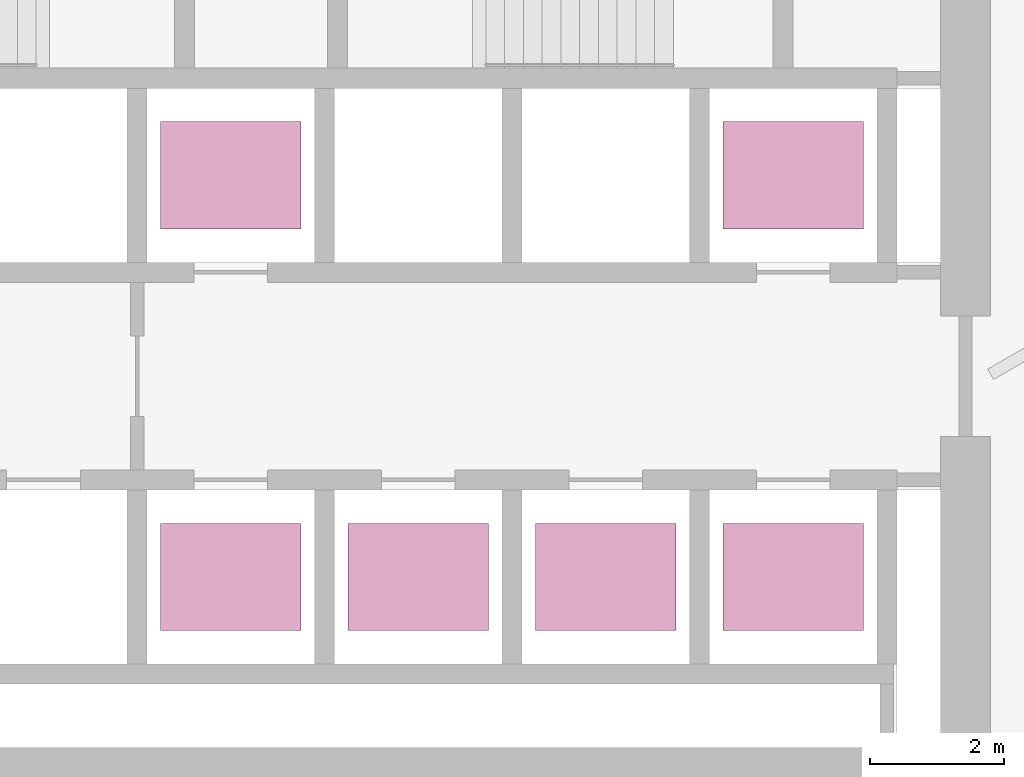
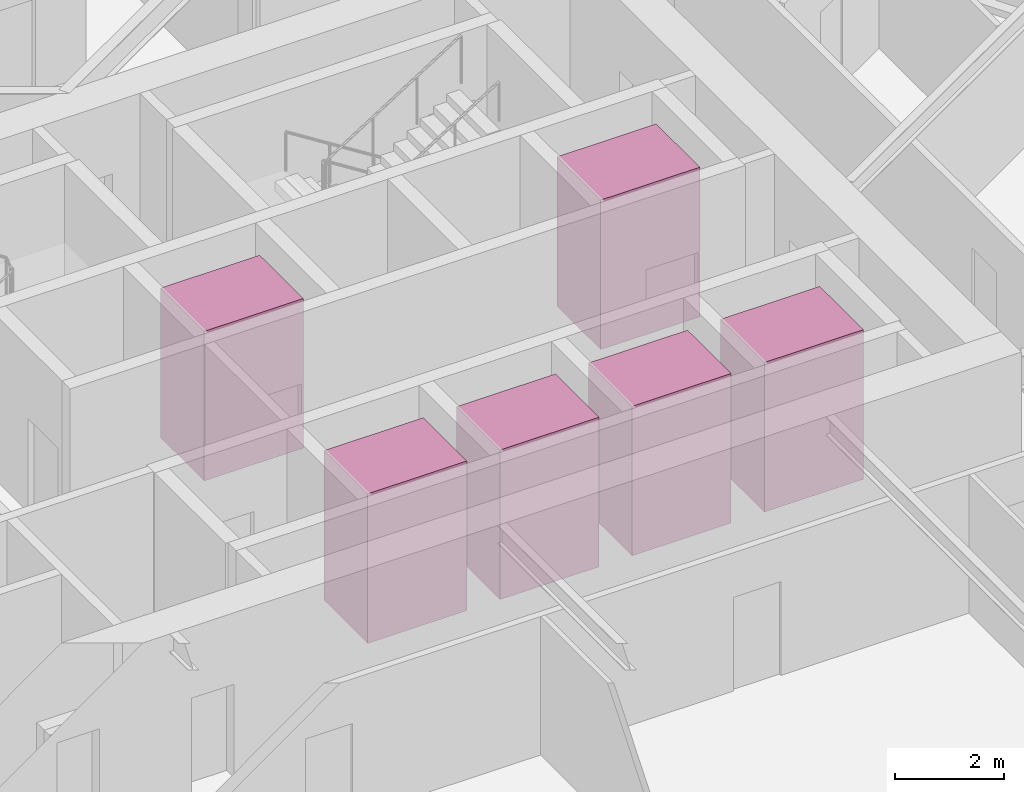
# One storey, part 22 of 23: 6 transport elements.
"""IFC4 building model written with IfcOpenShell, lengths in metres."""

from ifc_helpers import new_model, si_unit, direction, frame, origin, origin_2d, place, context, subcontext, project, spatial, rectangle, extrude, material, type_object, element, save


model = new_model("IFC4")

# Units and contexts
model_context = context("Model", 3, precision=1e-05, world=origin(), true_north=direction((0.0, 1.0)))
body_context = subcontext(model_context, "Body", "Model", "MODEL_VIEW")
ifc_project = project(units=[si_unit("LENGTHUNIT", "METRE"), si_unit("AREAUNIT", "SQUARE_METRE"), si_unit("VOLUMEUNIT", "CUBIC_METRE"), si_unit("PLANEANGLEUNIT", "RADIAN"), si_unit("MASSUNIT", "GRAM", prefix="KILO")], contexts=[model_context])

# Site, building, storey
site_placement = place(None, origin())
site = spatial("IfcSite", under=ifc_project, at=site_placement, CompositionType="ELEMENT")
building_placement = place(site_placement, origin())
building = spatial("IfcBuilding", under=site, at=building_placement, Name="Firuza Gate Tower and Library", CompositionType="ELEMENT")
storey_placement = place(building_placement, frame((0.0, 0.0, 190.89990234375)))
storey = spatial("IfcBuildingStorey", under=building, at=storey_placement, Name="L44", CompositionType="ELEMENT", Elevation=190.89990234375)

# Transport elements
ifc_material = material(Name="Stainless steel and glass", Category="steel")
transport_element_type = type_object("IfcTransportElementType", Name="Mid-rise lift car 2100x1600", PredefinedType="ELEVATOR", material=ifc_material)
for number, where, z_axis, x_axis, name in (
    (1, (74.64990234375, 70.300048828125, 0.0), (0.0, 0.0, 1.0), (1.0, 0.0, 0.0), "Mid-rise lift MR1"),
    (2, (77.449951171875, 70.300048828125, 0.0), (0.0, 0.0, 1.0), (1.0, 0.0, 0.0), "Mid-rise lift MR2"),
    (3, (80.25, 70.300048828125, 0.0), (0.0, 0.0, 1.0), (1.0, 0.0, 0.0), "Mid-rise lift MR3"),
    (4, (74.64990234375, 76.300048828125, 0.0), (0.0, 0.0, 1.0), (1.0, 0.0, 0.0), "Mid-rise lift MR4"),
    (5, (83.050048828125, 70.300048828125, 0.0), (0.0, 0.0, 1.0), (1.0, 0.0, 0.0), "Mid-rise lift MR5"),
    (6, (83.050048828125, 76.300048828125, 0.0), (0.0, 0.0, 1.0), (1.0, 0.0, 0.0), "Mid-rise lift MR6"),
):
    element("IfcTransportElement", number, at=place(storey_placement, frame(where, z_axis=z_axis, x_axis=x_axis)), inside=storey, type_object=transport_element_type, Name=name, PredefinedType="ELEVATOR", context=body_context, shape_type="SweptSolid", body=[
        extrude(rectangle(XDim=2.10009765625, YDim=1.60009765625, at=origin_2d()), origin(), (0.0, 0.0, 1.0), 3.35009765625),
    ])

save(model, "model.ifc")
